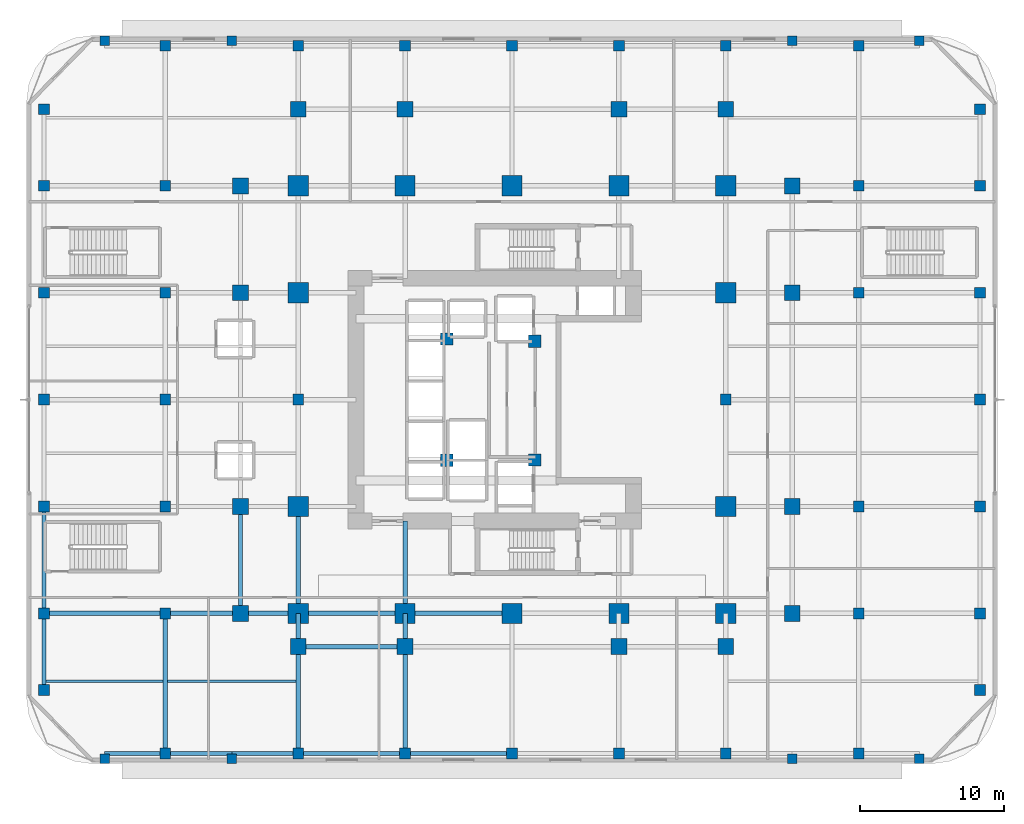
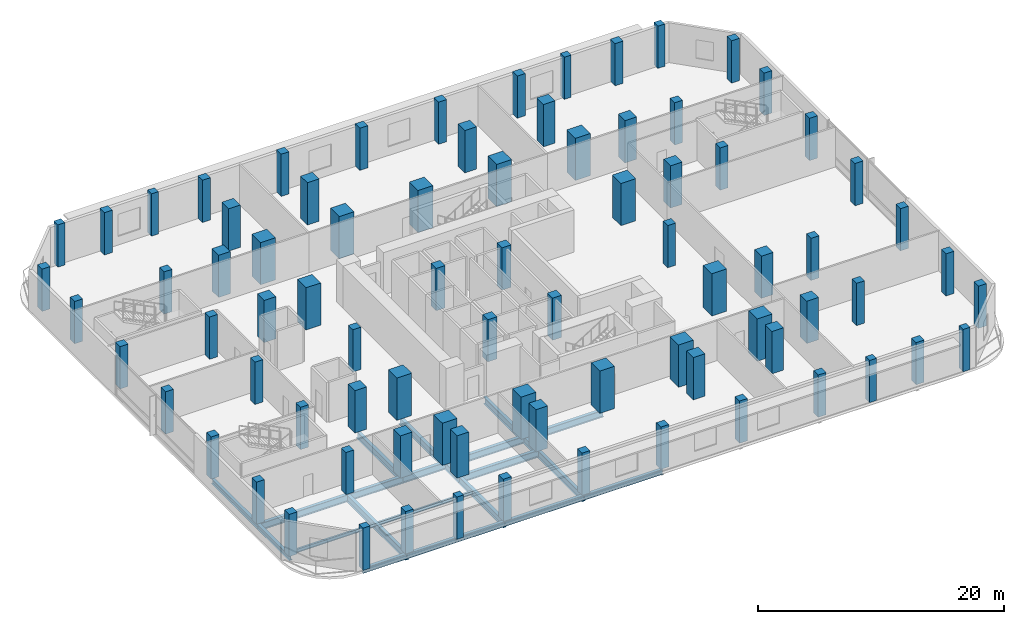
# One storey, part 1 of 19: 81 columns, 23 beams.
"""IFC4 building model written with IfcOpenShell, lengths in metres."""

from ifc_helpers import new_model, si_unit, direction, frame, origin, origin_2d, place, context, subcontext, project, spatial, rectangle, i_section, extrude, material, material_profile, profile_set, type_object, element, save


model = new_model("IFC4")

# Units and contexts
model_context = context("Model", 3, precision=1e-05, world=origin(), true_north=direction((0.0, 1.0)))
body_context = subcontext(model_context, "Body", "Model", "MODEL_VIEW")
ifc_project = project(units=[si_unit("LENGTHUNIT", "METRE"), si_unit("AREAUNIT", "SQUARE_METRE"), si_unit("VOLUMEUNIT", "CUBIC_METRE"), si_unit("PLANEANGLEUNIT", "RADIAN"), si_unit("MASSUNIT", "GRAM", prefix="KILO")], contexts=[model_context])

# Site, building, storey
site_placement = place(None, origin())
site = spatial("IfcSite", under=ifc_project, at=site_placement, CompositionType="ELEMENT")
building_placement = place(site_placement, origin())
building = spatial("IfcBuilding", under=site, at=building_placement, Name="Khorvyn Point Tower", CompositionType="ELEMENT")
storey_placement = place(building_placement, frame((0.0, 0.0, 17.39990234375)))
storey = spatial("IfcBuildingStorey", under=building, at=storey_placement, Name="L05", CompositionType="ELEMENT", Elevation=17.39990234375)

# Columns
ifc_material_1 = material(Name="Concrete C40/50", Category="concrete")
ifc_material_profile_1 = material_profile(ifc_material_1, rectangle(XDim=0.75, YDim=0.75, at=origin_2d()))
ifc_profile_set_1 = profile_set([ifc_material_profile_1], Name="Concrete C40/50 RC750x750")
column_type_1 = type_object("IfcColumnType", Name="Concrete C40/50 Column RC750x750", PredefinedType="COLUMN", material=ifc_profile_set_1)
for number, where, z_axis, x_axis, name in (
    (1, (-32.39990234375, -14.800048828125, 0.0), (0.0, 0.0, 1.0), (1.0, 0.0, 0.0), "PC-L05--324--148"),
    (2, (-32.39990234375, -7.39990234375, 0.0), (0.0, 0.0, 1.0), (1.0, 0.0, 0.0), "PC-L05--324--074"),
    (3, (-32.39990234375, 0.0, 0.0), (0.0, 0.0, 1.0), (1.0, 0.0, 0.0), "PC-L05--324-+000"),
    (4, (-32.39990234375, 7.39990234375, 0.0), (0.0, 0.0, 1.0), (1.0, 0.0, 0.0), "PC-L05--324-+074"),
    (5, (-32.39990234375, 14.800048828125, 0.0), (0.0, 0.0, 1.0), (1.0, 0.0, 0.0), "PC-L05--324-+148"),
    (6, (-24.0, -24.5, 0.0), (0.0, 0.0, 1.0), (1.0, 0.0, 0.0), "PC-L05--240--245"),
    (7, (-24.0, -14.800048828125, 0.0), (0.0, 0.0, 1.0), (1.0, 0.0, 0.0), "PC-L05--240--148"),
    (8, (-24.0, -7.39990234375, 0.0), (0.0, 0.0, 1.0), (1.0, 0.0, 0.0), "PC-L05--240--074"),
    (9, (-24.0, 0.0, 0.0), (0.0, 0.0, 1.0), (1.0, 0.0, 0.0), "PC-L05--240-+000"),
    (10, (-24.0, 7.39990234375, 0.0), (0.0, 0.0, 1.0), (1.0, 0.0, 0.0), "PC-L05--240-+074"),
    (11, (-24.0, 14.800048828125, 0.0), (0.0, 0.0, 1.0), (1.0, 0.0, 0.0), "PC-L05--240-+148"),
    (12, (-24.0, 24.5, 0.0), (0.0, 0.0, 1.0), (1.0, 0.0, 0.0), "PC-L05--240-+245"),
    (13, (-14.800048828125, -24.5, 0.0), (0.0, 0.0, 1.0), (1.0, 0.0, 0.0), "PC-L05--148--245"),
    (14, (-14.800048828125, 0.0, 0.0), (0.0, 0.0, 1.0), (1.0, 0.0, 0.0), "PC-L05--148-+000"),
    (15, (-14.800048828125, 24.5, 0.0), (0.0, 0.0, 1.0), (1.0, 0.0, 0.0), "PC-L05--148-+245"),
    (16, (-7.39990234375, -24.5, 0.0), (0.0, 0.0, 1.0), (1.0, 0.0, 0.0), "PC-L05--074--245"),
    (17, (-7.39990234375, 24.5, 0.0), (0.0, 0.0, 1.0), (1.0, 0.0, 0.0), "PC-L05--074-+245"),
    (18, (0.0, -24.5, 0.0), (0.0, 0.0, 1.0), (1.0, 0.0, 0.0), "PC-L05-+000--245"),
    (19, (0.0, 24.5, 0.0), (0.0, 0.0, 1.0), (1.0, 0.0, 0.0), "PC-L05-+000-+245"),
    (20, (7.39990234375, -24.5, 0.0), (0.0, 0.0, 1.0), (1.0, 0.0, 0.0), "PC-L05-+074--245"),
    (21, (7.39990234375, 24.5, 0.0), (0.0, 0.0, 1.0), (1.0, 0.0, 0.0), "PC-L05-+074-+245"),
    (22, (14.800048828125, -24.5, 0.0), (0.0, 0.0, 1.0), (1.0, 0.0, 0.0), "PC-L05-+148--245"),
    (23, (14.800048828125, 0.0, 0.0), (0.0, 0.0, 1.0), (1.0, 0.0, 0.0), "PC-L05-+148-+000"),
    (24, (14.800048828125, 24.5, 0.0), (0.0, 0.0, 1.0), (1.0, 0.0, 0.0), "PC-L05-+148-+245"),
    (25, (24.0, -24.5, 0.0), (0.0, 0.0, 1.0), (1.0, 0.0, 0.0), "PC-L05-+240--245"),
    (26, (24.0, -14.800048828125, 0.0), (0.0, 0.0, 1.0), (1.0, 0.0, 0.0), "PC-L05-+240--148"),
    (27, (24.0, -7.39990234375, 0.0), (0.0, 0.0, 1.0), (1.0, 0.0, 0.0), "PC-L05-+240--074"),
    (28, (24.0, 7.39990234375, 0.0), (0.0, 0.0, 1.0), (1.0, 0.0, 0.0), "PC-L05-+240-+074"),
    (29, (24.0, 14.800048828125, 0.0), (0.0, 0.0, 1.0), (1.0, 0.0, 0.0), "PC-L05-+240-+148"),
    (30, (24.0, 24.5, 0.0), (0.0, 0.0, 1.0), (1.0, 0.0, 0.0), "PC-L05-+240-+245"),
    (31, (32.39990234375, -14.800048828125, 0.0), (0.0, 0.0, 1.0), (1.0, 0.0, 0.0), "PC-L05-+324--148"),
    (32, (32.39990234375, -7.39990234375, 0.0), (0.0, 0.0, 1.0), (1.0, 0.0, 0.0), "PC-L05-+324--074"),
    (33, (32.39990234375, 0.0, 0.0), (0.0, 0.0, 1.0), (1.0, 0.0, 0.0), "PC-L05-+324-+000"),
    (34, (32.39990234375, 7.39990234375, 0.0), (0.0, 0.0, 1.0), (1.0, 0.0, 0.0), "PC-L05-+324-+074"),
    (35, (32.39990234375, 14.800048828125, 0.0), (0.0, 0.0, 1.0), (1.0, 0.0, 0.0), "PC-L05-+324-+148"),
    (36, (-32.39990234375, -20.10009765625, 0.0), (0.0, 0.0, 1.0), (1.0, 0.0, 0.0), "PCR-L05--32--20"),
    (37, (-32.39990234375, 20.10009765625, 0.0), (0.0, 0.0, 1.0), (1.0, 0.0, 0.0), "PCR-L05--32-+20"),
    (38, (32.39990234375, -20.10009765625, 0.0), (0.0, 0.0, 1.0), (1.0, 0.0, 0.0), "PCR-L05-+32--20"),
    (39, (32.39990234375, 20.10009765625, 0.0), (0.0, 0.0, 1.0), (1.0, 0.0, 0.0), "PCR-L05-+32-+20"),
):
    element("IfcColumn", number, at=place(storey_placement, frame(where, z_axis=z_axis, x_axis=x_axis)), inside=storey, type_object=column_type_1, Name=name, PredefinedType="COLUMN", context=body_context, shape_type="SweptSolid", body=[
        extrude(rectangle(XDim=0.75, YDim=0.75, at=origin_2d()), origin(), (0.0, 0.0, 1.0), 4.2001953125),
    ])
ifc_material_profile_2 = material_profile(ifc_material_1, rectangle(XDim=0.85009765625, YDim=0.85009765625, at=origin_2d()))
ifc_profile_set_2 = profile_set([ifc_material_profile_2], Name="Concrete C40/50 RC850x850")
column_type_2 = type_object("IfcColumnType", Name="Concrete C40/50 Column RC850x850", PredefinedType="COLUMN", material=ifc_profile_set_2)
for number, where, z_axis, x_axis, name in (
    (40, (-4.52001953125, -4.199951171875, 0.0), (0.0, 0.0, 1.0), (1.0, 0.0, 0.0), "L05 Crown Core Spine Column 1"),
    (41, (1.580078125, -4.179931640625, 0.0), (0.0, 0.0, 1.0), (1.0, 0.0, 0.0), "L05 Crown Core Spine Column 2"),
    (42, (1.580078125, 4.050048828125, 0.0), (0.0, 0.0, 1.0), (1.0, 0.0, 0.0), "L05 Crown Core Spine Column 3"),
    (43, (-4.52001953125, 4.199951171875, 0.0), (0.0, 0.0, 1.0), (1.0, 0.0, 0.0), "L05 Crown Core Spine Column 4"),
):
    element("IfcColumn", number, at=place(storey_placement, frame(where, z_axis=z_axis, x_axis=x_axis)), inside=storey, type_object=column_type_2, Name=name, PredefinedType="COLUMN", context=body_context, shape_type="SweptSolid", body=[
        extrude(rectangle(XDim=0.85009765625, YDim=0.85009765625, at=origin_2d()), origin(), (0.0, 0.0, 1.0), 4.2001953125),
    ])
ifc_material_profile_3 = material_profile(ifc_material_1, rectangle(XDim=0.64990234375, YDim=0.64990234375, at=origin_2d()))
ifc_profile_set_3 = profile_set([ifc_material_profile_3], Name="Concrete C40/50 RC650x650")
column_type_3 = type_object("IfcColumnType", Name="Concrete C40/50 Pilaster RC650x650", PredefinedType="PILASTER", material=ifc_profile_set_3)
for number, where, z_axis, x_axis, name in (
    (44, (-28.199951171875, -24.85009765625, 0.0), (0.0, 0.0, 1.0), (1.0, 0.0, 0.0), "L05 Colonnade Pilaster S"),
    (45, (-28.199951171875, 24.85009765625, 0.0), (0.0, 0.0, 1.0), (1.0, 0.0, 0.0), "L05 Colonnade Pilaster N"),
    (46, (-19.39990234375, -24.85009765625, 0.0), (0.0, 0.0, 1.0), (1.0, 0.0, 0.0), "L05 Colonnade Pilaster S"),
    (47, (-19.39990234375, 24.85009765625, 0.0), (0.0, 0.0, 1.0), (1.0, 0.0, 0.0), "L05 Colonnade Pilaster N"),
    (48, (19.39990234375, -24.85009765625, 0.0), (0.0, 0.0, 1.0), (1.0, 0.0, 0.0), "L05 Colonnade Pilaster S"),
    (49, (19.39990234375, 24.85009765625, 0.0), (0.0, 0.0, 1.0), (1.0, 0.0, 0.0), "L05 Colonnade Pilaster N"),
    (50, (28.199951171875, -24.85009765625, 0.0), (0.0, 0.0, 1.0), (1.0, 0.0, 0.0), "L05 Colonnade Pilaster S"),
    (51, (28.199951171875, 24.85009765625, 0.0), (0.0, 0.0, 1.0), (1.0, 0.0, 0.0), "L05 Colonnade Pilaster N"),
):
    element("IfcColumn", number, at=place(storey_placement, frame(where, z_axis=z_axis, x_axis=x_axis)), inside=storey, type_object=column_type_3, Name=name, PredefinedType="PILASTER", context=body_context, shape_type="SweptSolid", body=[
        extrude(rectangle(XDim=0.64990234375, YDim=0.64990234375, at=origin_2d()), origin(), (0.0, 0.0, 1.0), 4.2001953125),
    ])
ifc_material_2 = material(Name="Concrete C45/55", Category="concrete")
ifc_material_profile_4 = material_profile(ifc_material_2, rectangle(XDim=1.10009765625, YDim=1.10009765625, at=origin_2d()))
ifc_profile_set_4 = profile_set([ifc_material_profile_4], Name="Concrete C45/55 RC1100x1100")
column_type_4 = type_object("IfcColumnType", Name="Concrete C45/55 Column RC1100x1100", PredefinedType="COLUMN", material=ifc_profile_set_4)
for number, where, z_axis, x_axis, name in (
    (52, (-18.800048828125, -14.800048828125, 0.0), (0.0, 0.0, 1.0), (1.0, 0.0, 0.0), "L05 Intermediate Column ICW--14"),
    (53, (-18.800048828125, -7.39990234375, 0.0), (0.0, 0.0, 1.0), (1.0, 0.0, 0.0), "L05 Intermediate Column ICW--7"),
    (54, (-18.800048828125, 7.39990234375, 0.0), (0.0, 0.0, 1.0), (1.0, 0.0, 0.0), "L05 Intermediate Column ICW-7"),
    (55, (-18.800048828125, 14.800048828125, 0.0), (0.0, 0.0, 1.0), (1.0, 0.0, 0.0), "L05 Intermediate Column ICW-14"),
    (56, (19.39990234375, -14.800048828125, 0.0), (0.0, 0.0, 1.0), (1.0, 0.0, 0.0), "L05 Intermediate Column ICE--14"),
    (57, (19.39990234375, -7.39990234375, 0.0), (0.0, 0.0, 1.0), (1.0, 0.0, 0.0), "L05 Intermediate Column ICE--7"),
    (58, (19.39990234375, 7.39990234375, 0.0), (0.0, 0.0, 1.0), (1.0, 0.0, 0.0), "L05 Intermediate Column ICE-7"),
    (59, (19.39990234375, 14.800048828125, 0.0), (0.0, 0.0, 1.0), (1.0, 0.0, 0.0), "L05 Intermediate Column ICE-14"),
    (60, (-14.800048828125, -17.10009765625, 0.0), (0.0, 0.0, 1.0), (1.0, 0.0, 0.0), "L05 Intermediate Column ICS--14"),
    (61, (-7.39990234375, -17.10009765625, 0.0), (0.0, 0.0, 1.0), (1.0, 0.0, 0.0), "L05 Intermediate Column ICS--7"),
    (62, (7.39990234375, -17.10009765625, 0.0), (0.0, 0.0, 1.0), (1.0, 0.0, 0.0), "L05 Intermediate Column ICS-7"),
    (63, (14.800048828125, -17.10009765625, 0.0), (0.0, 0.0, 1.0), (1.0, 0.0, 0.0), "L05 Intermediate Column ICS-14"),
    (64, (-14.800048828125, 20.10009765625, 0.0), (0.0, 0.0, 1.0), (1.0, 0.0, 0.0), "L05 Intermediate Column ICN--14"),
    (65, (-7.39990234375, 20.10009765625, 0.0), (0.0, 0.0, 1.0), (1.0, 0.0, 0.0), "L05 Intermediate Column ICN--7"),
    (66, (7.39990234375, 20.10009765625, 0.0), (0.0, 0.0, 1.0), (1.0, 0.0, 0.0), "L05 Intermediate Column ICN-7"),
    (67, (14.800048828125, 20.10009765625, 0.0), (0.0, 0.0, 1.0), (1.0, 0.0, 0.0), "L05 Intermediate Column ICN-14"),
):
    element("IfcColumn", number, at=place(storey_placement, frame(where, z_axis=z_axis, x_axis=x_axis)), inside=storey, type_object=column_type_4, Name=name, PredefinedType="COLUMN", context=body_context, shape_type="SweptSolid", body=[
        extrude(rectangle(XDim=1.10009765625, YDim=1.10009765625, at=origin_2d()), origin(), (0.0, 0.0, 1.0), 4.2001953125),
    ])
ifc_material_3 = material(Name="Concrete C50/60", Category="concrete")
ifc_material_profile_5 = material_profile(ifc_material_3, rectangle(XDim=1.39990234375, YDim=1.39990234375, at=origin_2d()))
ifc_profile_set_5 = profile_set([ifc_material_profile_5], Name="Concrete C50/60 RC1400x1400")
column_type_5 = type_object("IfcColumnType", Name="Concrete C50/60 Column RC1400x1400", PredefinedType="COLUMN", material=ifc_profile_set_5)
for number, where, z_axis, x_axis, name in (
    (68, (-14.800048828125, -14.800048828125, 0.0), (0.0, 0.0, 1.0), (1.0, 0.0, 0.0), "L05 Mega-Column MC-01"),
    (69, (-7.39990234375, -14.800048828125, 0.0), (0.0, 0.0, 1.0), (1.0, 0.0, 0.0), "L05 Mega-Column MC-02"),
    (70, (0.0, -14.800048828125, 0.0), (0.0, 0.0, 1.0), (1.0, 0.0, 0.0), "L05 Mega-Column MC-03"),
    (71, (7.39990234375, -14.800048828125, 0.0), (0.0, 0.0, 1.0), (1.0, 0.0, 0.0), "L05 Mega-Column MC-04"),
    (72, (14.800048828125, -14.800048828125, 0.0), (0.0, 0.0, 1.0), (1.0, 0.0, 0.0), "L05 Mega-Column MC-05"),
    (73, (-14.800048828125, 14.800048828125, 0.0), (0.0, 0.0, 1.0), (1.0, 0.0, 0.0), "L05 Mega-Column MC-06"),
    (74, (-7.39990234375, 14.800048828125, 0.0), (0.0, 0.0, 1.0), (1.0, 0.0, 0.0), "L05 Mega-Column MC-07"),
    (75, (0.0, 14.800048828125, 0.0), (0.0, 0.0, 1.0), (1.0, 0.0, 0.0), "L05 Mega-Column MC-08"),
    (76, (7.39990234375, 14.800048828125, 0.0), (0.0, 0.0, 1.0), (1.0, 0.0, 0.0), "L05 Mega-Column MC-09"),
    (77, (14.800048828125, 14.800048828125, 0.0), (0.0, 0.0, 1.0), (1.0, 0.0, 0.0), "L05 Mega-Column MC-10"),
    (78, (-14.800048828125, -7.39990234375, 0.0), (0.0, 0.0, 1.0), (1.0, 0.0, 0.0), "L05 Mega-Column MC-11"),
    (79, (-14.800048828125, 7.39990234375, 0.0), (0.0, 0.0, 1.0), (1.0, 0.0, 0.0), "L05 Mega-Column MC-12"),
    (80, (14.800048828125, -7.39990234375, 0.0), (0.0, 0.0, 1.0), (1.0, 0.0, 0.0), "L05 Mega-Column MC-13"),
    (81, (14.800048828125, 7.39990234375, 0.0), (0.0, 0.0, 1.0), (1.0, 0.0, 0.0), "L05 Mega-Column MC-14"),
):
    element("IfcColumn", number, at=place(storey_placement, frame(where, z_axis=z_axis, x_axis=x_axis)), inside=storey, type_object=column_type_5, Name=name, PredefinedType="COLUMN", context=body_context, shape_type="SweptSolid", body=[
        extrude(rectangle(XDim=1.39990234375, YDim=1.39990234375, at=origin_2d()), origin(), (0.0, 0.0, 1.0), 4.2001953125),
    ])

# Beams
ifc_material_4 = material(Name="Steel S355", Category="steel")
ifc_material_profile_6 = material_profile(ifc_material_4, i_section(OverallWidth=0.300048828125, OverallDepth=0.699951171875, WebThickness=0.012939453125, FlangeThickness=0.02392578125, at=origin_2d()))
ifc_profile_set_6 = profile_set([ifc_material_profile_6], Name="Steel S355 H700x300x13x24")
beam_type_1 = type_object("IfcBeamType", Name="Steel S355 Beam H700x300x13x24", PredefinedType="BEAM", material=ifc_profile_set_6)
beam_1_placement = place(storey_placement, frame((-32.39990234375, -14.800048828125, -0.58984375), z_axis=(1.0, 0.0, 0.0), x_axis=(0.0, 1.0, 0.0)))
element("IfcBeam", 82, at=beam_1_placement, inside=storey, type_object=beam_type_1, Name="Beam", PredefinedType="BEAM", context=body_context, shape_type="SweptSolid", body=[
    extrude(i_section(OverallWidth=0.300048828125, OverallDepth=0.699951171875, WebThickness=0.012939453125, FlangeThickness=0.02392578125, at=origin_2d()), origin(), (0.0, 0.0, 1.0), 8.39990234375),
])
beam_2_placement = place(storey_placement, frame((-24.0, -14.800048828125, -0.58984375), z_axis=(1.0, 0.0, 0.0), x_axis=(0.0, 1.0, 0.0)))
element("IfcBeam", 83, at=beam_2_placement, inside=storey, type_object=beam_type_1, Name="Beam", PredefinedType="BEAM", context=body_context, shape_type="SweptSolid", body=[
    extrude(i_section(OverallWidth=0.300048828125, OverallDepth=0.699951171875, WebThickness=0.012939453125, FlangeThickness=0.02392578125, at=origin_2d()), origin(), (0.0, 0.0, 1.0), 5.199951171875),
])
beam_3_placement = place(storey_placement, frame((-18.800048828125, -14.800048828125, -0.58984375), z_axis=(1.0, 0.0, 0.0), x_axis=(0.0, 1.0, 0.0)))
element("IfcBeam", 84, at=beam_3_placement, inside=storey, type_object=beam_type_1, Name="Beam", PredefinedType="BEAM", context=body_context, shape_type="SweptSolid", body=[
    extrude(i_section(OverallWidth=0.300048828125, OverallDepth=0.699951171875, WebThickness=0.012939453125, FlangeThickness=0.02392578125, at=origin_2d()), origin(), (0.0, 0.0, 1.0), 4.0),
])
beam_4_placement = place(storey_placement, frame((-14.800048828125, -14.800048828125, -0.58984375), z_axis=(1.0, 0.0, 0.0), x_axis=(0.0, 1.0, 0.0)))
element("IfcBeam", 85, at=beam_4_placement, inside=storey, type_object=beam_type_1, Name="Beam", PredefinedType="BEAM", context=body_context, shape_type="SweptSolid", body=[
    extrude(i_section(OverallWidth=0.300048828125, OverallDepth=0.699951171875, WebThickness=0.012939453125, FlangeThickness=0.02392578125, at=origin_2d()), origin(), (0.0, 0.0, 1.0), 7.400146484375),
])
beam_5_placement = place(storey_placement, frame((-7.39990234375, -14.800048828125, -0.58984375), z_axis=(1.0, 0.0, 0.0), x_axis=(0.0, 1.0, 0.0)))
element("IfcBeam", 86, at=beam_5_placement, inside=storey, type_object=beam_type_1, Name="Beam", PredefinedType="BEAM", context=body_context, shape_type="SweptSolid", body=[
    extrude(i_section(OverallWidth=0.300048828125, OverallDepth=0.699951171875, WebThickness=0.012939453125, FlangeThickness=0.02392578125, at=origin_2d()), origin(), (0.0, 0.0, 1.0), 7.39990234375),
])
beam_6_placement = place(storey_placement, frame((-14.800048828125, -17.10009765625, -0.58984375), z_axis=(1.0, 0.0, 0.0), x_axis=(0.0, 1.0, 0.0)))
element("IfcBeam", 87, at=beam_6_placement, inside=storey, type_object=beam_type_1, Name="Beam", PredefinedType="BEAM", context=body_context, shape_type="SweptSolid", body=[
    extrude(i_section(OverallWidth=0.300048828125, OverallDepth=0.699951171875, WebThickness=0.012939453125, FlangeThickness=0.02392578125, at=origin_2d()), origin(), (0.0, 0.0, 1.0), 7.400146484375),
])
beam_7_placement = place(storey_placement, frame((-24.0, -24.5, -0.58984375), z_axis=(0.0, 1.0, 0.0), x_axis=(-1.0, 0.0, 0.0)))
element("IfcBeam", 88, at=beam_7_placement, inside=storey, type_object=beam_type_1, Name="Beam", PredefinedType="BEAM", context=body_context, shape_type="SweptSolid", body=[
    extrude(i_section(OverallWidth=0.300048828125, OverallDepth=0.699951171875, WebThickness=0.012939453125, FlangeThickness=0.02392578125, at=origin_2d()), origin(), (0.0, 0.0, 1.0), 9.699951171875),
])
beam_8_placement = place(storey_placement, frame((-14.800048828125, -24.5, -0.58984375), z_axis=(0.0, 1.0, 0.0), x_axis=(-1.0, 0.0, 0.0)))
element("IfcBeam", 89, at=beam_8_placement, inside=storey, type_object=beam_type_1, Name="Beam", PredefinedType="BEAM", context=body_context, shape_type="SweptSolid", body=[
    extrude(i_section(OverallWidth=0.300048828125, OverallDepth=0.699951171875, WebThickness=0.012939453125, FlangeThickness=0.02392578125, at=origin_2d()), origin(), (0.0, 0.0, 1.0), 7.39990234375),
])
beam_9_placement = place(storey_placement, frame((-14.800048828125, -17.10009765625, -0.58984375), z_axis=(0.0, 1.0, 0.0), x_axis=(-1.0, 0.0, 0.0)))
element("IfcBeam", 90, at=beam_9_placement, inside=storey, type_object=beam_type_1, Name="Beam", PredefinedType="BEAM", context=body_context, shape_type="SweptSolid", body=[
    extrude(i_section(OverallWidth=0.300048828125, OverallDepth=0.699951171875, WebThickness=0.012939453125, FlangeThickness=0.02392578125, at=origin_2d()), origin(), (0.0, 0.0, 1.0), 2.300048828125),
])
beam_10_placement = place(storey_placement, frame((-14.800048828125, -14.800048828125, -0.58984375), z_axis=(0.0, 1.0, 0.0), x_axis=(-1.0, 0.0, 0.0)))
element("IfcBeam", 91, at=beam_10_placement, inside=storey, type_object=beam_type_1, Name="Beam", PredefinedType="BEAM", context=body_context, shape_type="SweptSolid", body=[
    extrude(i_section(OverallWidth=0.300048828125, OverallDepth=0.699951171875, WebThickness=0.012939453125, FlangeThickness=0.02392578125, at=origin_2d()), origin(), (0.0, 0.0, 1.0), 7.400146484375),
])
beam_11_placement = place(storey_placement, frame((-7.39990234375, -24.5, -0.58984375), z_axis=(0.0, 1.0, 0.0), x_axis=(-1.0, 0.0, 0.0)))
element("IfcBeam", 92, at=beam_11_placement, inside=storey, type_object=beam_type_1, Name="Beam", PredefinedType="BEAM", context=body_context, shape_type="SweptSolid", body=[
    extrude(i_section(OverallWidth=0.300048828125, OverallDepth=0.699951171875, WebThickness=0.012939453125, FlangeThickness=0.02392578125, at=origin_2d()), origin(), (0.0, 0.0, 1.0), 7.39990234375),
])
beam_12_placement = place(storey_placement, frame((-7.39990234375, -17.10009765625, -0.58984375), z_axis=(0.0, 1.0, 0.0), x_axis=(-1.0, 0.0, 0.0)))
element("IfcBeam", 93, at=beam_12_placement, inside=storey, type_object=beam_type_1, Name="Beam", PredefinedType="BEAM", context=body_context, shape_type="SweptSolid", body=[
    extrude(i_section(OverallWidth=0.300048828125, OverallDepth=0.699951171875, WebThickness=0.012939453125, FlangeThickness=0.02392578125, at=origin_2d()), origin(), (0.0, 0.0, 1.0), 2.300048828125),
])
beam_13_placement = place(storey_placement, frame((-7.39990234375, -14.800048828125, -0.58984375), z_axis=(0.0, 1.0, 0.0), x_axis=(-1.0, 0.0, 0.0)))
element("IfcBeam", 94, at=beam_13_placement, inside=storey, type_object=beam_type_1, Name="Beam", PredefinedType="BEAM", context=body_context, shape_type="SweptSolid", body=[
    extrude(i_section(OverallWidth=0.300048828125, OverallDepth=0.699951171875, WebThickness=0.012939453125, FlangeThickness=0.02392578125, at=origin_2d()), origin(), (0.0, 0.0, 1.0), 6.400146484375),
])
beam_14_placement = place(storey_placement, frame((-18.800048828125, -14.800048828125, -0.58984375), z_axis=(0.0, 1.0, 0.0), x_axis=(-1.0, 0.0, 0.0)))
element("IfcBeam", 95, at=beam_14_placement, inside=storey, type_object=beam_type_1, Name="Beam", PredefinedType="BEAM", context=body_context, shape_type="SweptSolid", body=[
    extrude(i_section(OverallWidth=0.300048828125, OverallDepth=0.699951171875, WebThickness=0.012939453125, FlangeThickness=0.02392578125, at=origin_2d()), origin(), (0.0, 0.0, 1.0), 7.400146484375),
])
ifc_material_profile_7 = material_profile(ifc_material_4, i_section(OverallWidth=0.175048828125, OverallDepth=0.35009765625, WebThickness=0.007080078125, FlangeThickness=0.010986328125, at=origin_2d()))
ifc_profile_set_7 = profile_set([ifc_material_profile_7], Name="Steel S355 H350x175x7x11")
beam_type_2 = type_object("IfcBeamType", Name="Steel S355 Joist H350x175x7x11", PredefinedType="JOIST", material=ifc_profile_set_7)
beam_15_placement = place(storey_placement, frame((-32.25, -19.5, -0.414794921875), z_axis=(1.0, 0.0, 0.0), x_axis=(0.0, 1.0, 0.0)))
element("IfcBeam", 96, at=beam_15_placement, inside=storey, type_object=beam_type_2, Name="Beam", PredefinedType="JOIST", context=body_context, shape_type="SweptSolid", body=[
    extrude(i_section(OverallWidth=0.175048828125, OverallDepth=0.35009765625, WebThickness=0.007080078125, FlangeThickness=0.010986328125, at=origin_2d()), origin(), (0.0, 0.0, 1.0), 8.10009765625),
])
beam_16_placement = place(storey_placement, frame((-23.85009765625, -19.5, -0.414794921875), z_axis=(1.0, 0.0, 0.0), x_axis=(0.0, 1.0, 0.0)))
element("IfcBeam", 97, at=beam_16_placement, inside=storey, type_object=beam_type_2, Name="Beam", PredefinedType="JOIST", context=body_context, shape_type="SweptSolid", body=[
    extrude(i_section(OverallWidth=0.175048828125, OverallDepth=0.35009765625, WebThickness=0.007080078125, FlangeThickness=0.010986328125, at=origin_2d()), origin(), (0.0, 0.0, 1.0), 8.900146484375),
])
ifc_material_profile_8 = material_profile(ifc_material_4, i_section(OverallWidth=0.300048828125, OverallDepth=0.488037109375, WebThickness=0.010986328125, FlangeThickness=0.01806640625, at=origin_2d()))
ifc_profile_set_8 = profile_set([ifc_material_profile_8], Name="Steel S355 H488x300x11x18")
beam_type_3 = type_object("IfcBeamType", Name="Steel S355 Spandrel H488x300x11x18", PredefinedType="SPANDREL", material=ifc_profile_set_8)
beam_17_placement = place(storey_placement, frame((-28.199951171875, -24.5, -0.48388671875), z_axis=(1.0, 0.0, 0.0), x_axis=(0.0, 1.0, 0.0)))
element("IfcBeam", 98, at=beam_17_placement, inside=storey, type_object=beam_type_3, Name="Beam", PredefinedType="SPANDREL", context=body_context, shape_type="SweptSolid", body=[
    extrude(i_section(OverallWidth=0.300048828125, OverallDepth=0.488037109375, WebThickness=0.010986328125, FlangeThickness=0.01806640625, at=origin_2d()), origin(), (0.0, 0.0, 1.0), 4.199951171875),
])
beam_18_placement = place(storey_placement, frame((-24.0, -24.5, -0.48388671875), z_axis=(1.0, 0.0, 0.0), x_axis=(0.0, 1.0, 0.0)))
element("IfcBeam", 99, at=beam_18_placement, inside=storey, type_object=beam_type_3, Name="Beam", PredefinedType="SPANDREL", context=body_context, shape_type="SweptSolid", body=[
    extrude(i_section(OverallWidth=0.300048828125, OverallDepth=0.488037109375, WebThickness=0.010986328125, FlangeThickness=0.01806640625, at=origin_2d()), origin(), (0.0, 0.0, 1.0), 4.60009765625),
])
beam_19_placement = place(storey_placement, frame((-19.39990234375, -24.5, -0.48388671875), z_axis=(1.0, 0.0, 0.0), x_axis=(0.0, 1.0, 0.0)))
element("IfcBeam", 100, at=beam_19_placement, inside=storey, type_object=beam_type_3, Name="Beam", PredefinedType="SPANDREL", context=body_context, shape_type="SweptSolid", body=[
    extrude(i_section(OverallWidth=0.300048828125, OverallDepth=0.488037109375, WebThickness=0.010986328125, FlangeThickness=0.01806640625, at=origin_2d()), origin(), (0.0, 0.0, 1.0), 4.599853515625),
])
beam_20_placement = place(storey_placement, frame((-14.800048828125, -24.5, -0.48388671875), z_axis=(1.0, 0.0, 0.0), x_axis=(0.0, 1.0, 0.0)))
element("IfcBeam", 101, at=beam_20_placement, inside=storey, type_object=beam_type_3, Name="Beam", PredefinedType="SPANDREL", context=body_context, shape_type="SweptSolid", body=[
    extrude(i_section(OverallWidth=0.300048828125, OverallDepth=0.488037109375, WebThickness=0.010986328125, FlangeThickness=0.01806640625, at=origin_2d()), origin(), (0.0, 0.0, 1.0), 7.400146484375),
])
beam_21_placement = place(storey_placement, frame((-7.39990234375, -24.5, -0.48388671875), z_axis=(1.0, 0.0, 0.0), x_axis=(0.0, 1.0, 0.0)))
element("IfcBeam", 102, at=beam_21_placement, inside=storey, type_object=beam_type_3, Name="Beam", PredefinedType="SPANDREL", context=body_context, shape_type="SweptSolid", body=[
    extrude(i_section(OverallWidth=0.300048828125, OverallDepth=0.488037109375, WebThickness=0.010986328125, FlangeThickness=0.01806640625, at=origin_2d()), origin(), (0.0, 0.0, 1.0), 7.39990234375),
])
beam_22_placement = place(storey_placement, frame((-32.39990234375, -20.10009765625, -0.48388671875), z_axis=(0.0, 1.0, 0.0), x_axis=(-1.0, 0.0, 0.0)))
element("IfcBeam", 103, at=beam_22_placement, inside=storey, type_object=beam_type_3, Name="Beam", PredefinedType="SPANDREL", context=body_context, shape_type="SweptSolid", body=[
    extrude(i_section(OverallWidth=0.300048828125, OverallDepth=0.488037109375, WebThickness=0.010986328125, FlangeThickness=0.01806640625, at=origin_2d()), origin(), (0.0, 0.0, 1.0), 5.300048828125),
])
beam_23_placement = place(storey_placement, frame((-32.39990234375, -14.800048828125, -0.48388671875), z_axis=(0.0, 1.0, 0.0), x_axis=(-1.0, 0.0, 0.0)))
element("IfcBeam", 104, at=beam_23_placement, inside=storey, type_object=beam_type_3, Name="Beam", PredefinedType="SPANDREL", context=body_context, shape_type="SweptSolid", body=[
    extrude(i_section(OverallWidth=0.300048828125, OverallDepth=0.488037109375, WebThickness=0.010986328125, FlangeThickness=0.01806640625, at=origin_2d()), origin(), (0.0, 0.0, 1.0), 7.400146484375),
])

save(model, "model.ifc")
